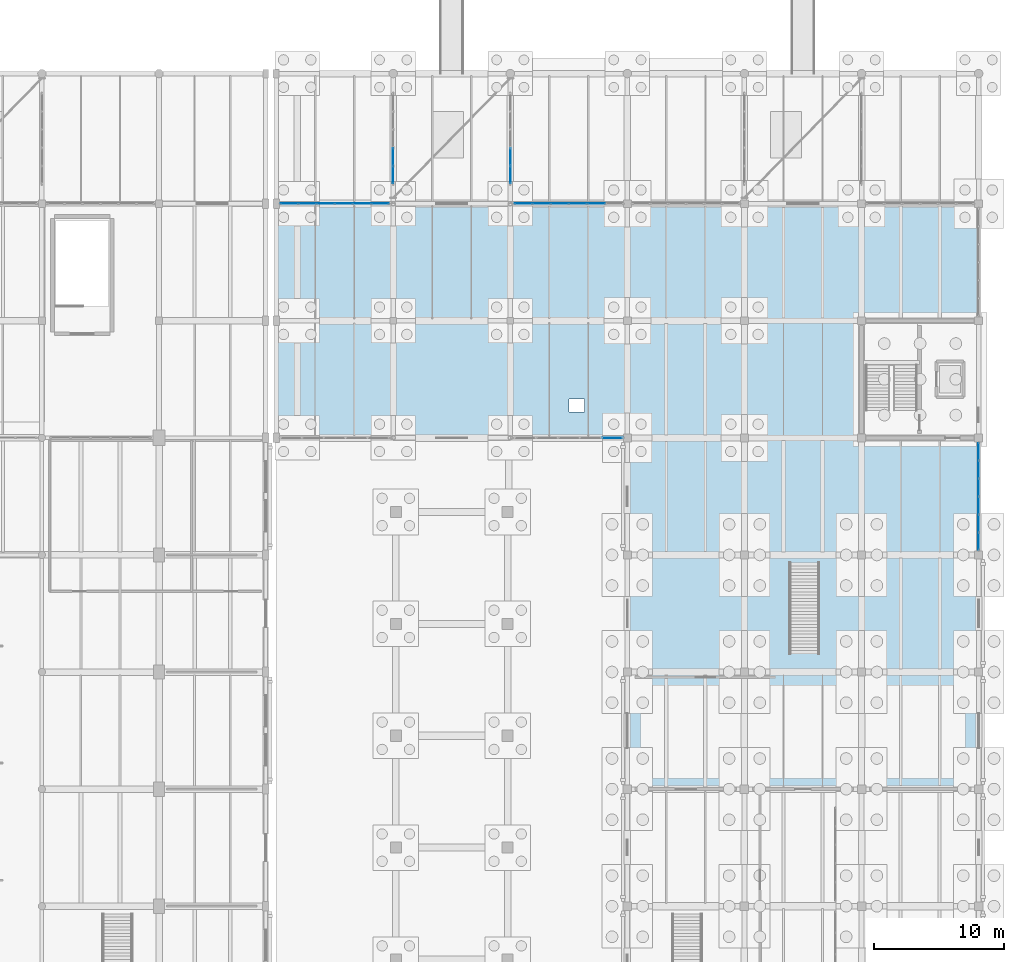
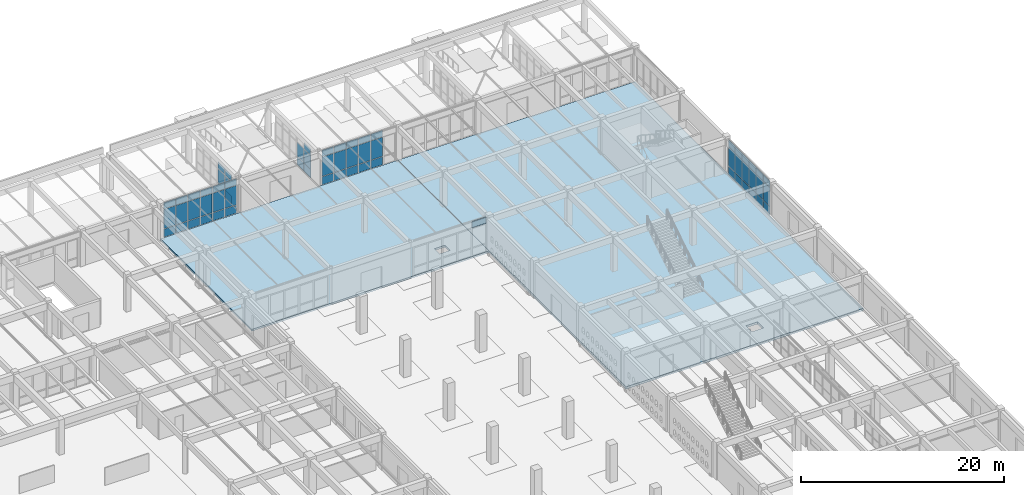
# One storey, part 153 of 186: 63 plates, 2 slabs, 6 elements without a shape of their own.
"""IFC4 building model written with IfcOpenShell, lengths in metres."""

from ifc_helpers import new_model, si_unit, direction, frame, origin, origin_2d, place, context, subcontext, project, spatial, polyline, rectangle, outline, extrude, material, layer, layer_set, type_object, element, aggregate, save


model = new_model("IFC4")

# Units and contexts
model_context = context("Model", 3, precision=1e-05, world=origin(), true_north=direction((0.0, 1.0)))
body_context = subcontext(model_context, "Body", "Model", "MODEL_VIEW")
ifc_project = project(units=[si_unit("LENGTHUNIT", "METRE"), si_unit("AREAUNIT", "SQUARE_METRE"), si_unit("VOLUMEUNIT", "CUBIC_METRE"), si_unit("PLANEANGLEUNIT", "RADIAN"), si_unit("MASSUNIT", "GRAM", prefix="KILO")], contexts=[model_context])

# Site, building, storey
site_placement = place(None, origin())
site = spatial("IfcSite", under=ifc_project, at=site_placement, CompositionType="ELEMENT")
building_placement = place(site_placement, origin())
building = spatial("IfcBuilding", under=site, at=building_placement, Name="Ornek Quay Market", CompositionType="ELEMENT")
storey_placement = place(building_placement, origin())
storey = spatial("IfcBuildingStorey", under=building, at=storey_placement, Name="L00", CompositionType="ELEMENT", Elevation=0.0)

# Curtain wall, plates
ifc_material_1 = material(Name="Anodised bronze aluminium and triple low-e glass", Category="aluminium")
ifc_layer_1 = layer(ifc_material_1, 0.18994140625, Name="Anodised bronze aluminium and triple low-e glass", Category="aluminium")
ifc_layer_set_1 = layer_set([ifc_layer_1], Name="Anodised bronze aluminium and triple low-e glass")
curtain_wall_type_1 = type_object("IfcCurtainWallType", Name="CW-FC-MOD1500", PredefinedType="USERDEFINED", material=ifc_layer_set_1)
curtain_wall_1_placement = place(storey_placement, origin())
curtain_wall_1 = element("IfcCurtainWall", 1, at=curtain_wall_1_placement, inside=storey, type_object=curtain_wall_type_1, Name="Curtain wall CW-081", ObjectType="CURTAIN WALL", PredefinedType="USERDEFINED")
ifc_material_2 = material(Name="Insulated bronze aluminium spandrel panel", Category="aluminium")
ifc_layer_2 = layer(ifc_material_2, 0.050048828125, Name="Insulated bronze aluminium spandrel panel", Category="aluminium")
ifc_layer_set_2 = layer_set([ifc_layer_2], Name="Insulated bronze aluminium spandrel panel")
plate_type_1 = type_object("IfcPlateType", Name="PL-CW-SPANDREL-50", PredefinedType="CURTAIN_PANEL", material=ifc_layer_set_2)
plate_1_placement = place(storey_placement, frame((180.0, 84.057861328125, 0.06494140625), z_axis=(0.0, 0.0, 1.0), x_axis=(0.0, 1.0, 0.0)))
plate_1 = element("IfcPlate", 2, at=plate_1_placement, type_object=plate_type_1, Name="CW-081 panel 1.1", PredefinedType="CURTAIN_PANEL", context=body_context, shape_type="SweptSolid", body=[
    extrude(rectangle(XDim=1.285888671875, YDim=0.050048828125, at=origin_2d()), origin(), (0.0, 0.0, 1.0), 0.952392578125),
])
plate_2_placement = place(storey_placement, frame((180.0, 84.057861328125, 1.08251953125), z_axis=(0.0, 0.0, 1.0), x_axis=(0.0, 1.0, 0.0)))
plate_2 = element("IfcPlate", 3, at=plate_2_placement, type_object=plate_type_1, Name="CW-081 panel 1.2", PredefinedType="CURTAIN_PANEL", context=body_context, shape_type="SweptSolid", body=[
    extrude(rectangle(XDim=1.285888671875, YDim=0.050048828125, at=origin_2d()), origin(), (0.0, 0.0, 1.0), 2.264892578125),
])
plate_3_placement = place(storey_placement, frame((180.0, 84.057861328125, 3.41259765625), z_axis=(0.0, 0.0, 1.0), x_axis=(0.0, 1.0, 0.0)))
plate_3 = element("IfcPlate", 4, at=plate_3_placement, type_object=plate_type_1, Name="CW-081 panel 1.3", PredefinedType="CURTAIN_PANEL", context=body_context, shape_type="SweptSolid", body=[
    extrude(rectangle(XDim=1.285888671875, YDim=0.050048828125, at=origin_2d()), origin(), (0.0, 0.0, 1.0), 0.75244140625),
])
plate_4_placement = place(storey_placement, frame((180.0, 85.425048828125, 0.06494140625), z_axis=(0.0, 0.0, 1.0), x_axis=(0.0, 1.0, 0.0)))
plate_4 = element("IfcPlate", 5, at=plate_4_placement, type_object=plate_type_1, Name="CW-081 panel 2.1", PredefinedType="CURTAIN_PANEL", context=body_context, shape_type="SweptSolid", body=[
    extrude(rectangle(XDim=1.318359375, YDim=0.050048828125, at=origin_2d()), origin(), (0.0, 0.0, 1.0), 0.952392578125),
])
plate_5_placement = place(storey_placement, frame((180.0, 85.425048828125, 1.08251953125), z_axis=(0.0, 0.0, 1.0), x_axis=(0.0, 1.0, 0.0)))
plate_5 = element("IfcPlate", 6, at=plate_5_placement, type_object=plate_type_1, Name="CW-081 panel 2.2", PredefinedType="CURTAIN_PANEL", context=body_context, shape_type="SweptSolid", body=[
    extrude(rectangle(XDim=1.318359375, YDim=0.050048828125, at=origin_2d()), origin(), (0.0, 0.0, 1.0), 2.264892578125),
])
plate_6_placement = place(storey_placement, frame((180.0, 85.425048828125, 3.41259765625), z_axis=(0.0, 0.0, 1.0), x_axis=(0.0, 1.0, 0.0)))
plate_6 = element("IfcPlate", 7, at=plate_6_placement, type_object=plate_type_1, Name="CW-081 panel 2.3", PredefinedType="CURTAIN_PANEL", context=body_context, shape_type="SweptSolid", body=[
    extrude(rectangle(XDim=1.318359375, YDim=0.050048828125, at=origin_2d()), origin(), (0.0, 0.0, 1.0), 0.75244140625),
])
plate_7_placement = place(storey_placement, frame((180.0, 86.808349609375, 0.06494140625), z_axis=(0.0, 0.0, 1.0), x_axis=(0.0, 1.0, 0.0)))
plate_7 = element("IfcPlate", 8, at=plate_7_placement, type_object=plate_type_1, Name="CW-081 panel 3.1", PredefinedType="CURTAIN_PANEL", context=body_context, shape_type="SweptSolid", body=[
    extrude(rectangle(XDim=1.318359375, YDim=0.050048828125, at=origin_2d()), origin(), (0.0, 0.0, 1.0), 0.952392578125),
])
plate_8_placement = place(storey_placement, frame((180.0, 86.808349609375, 1.08251953125), z_axis=(0.0, 0.0, 1.0), x_axis=(0.0, 1.0, 0.0)))
plate_8 = element("IfcPlate", 9, at=plate_8_placement, type_object=plate_type_1, Name="CW-081 panel 3.2", PredefinedType="CURTAIN_PANEL", context=body_context, shape_type="SweptSolid", body=[
    extrude(rectangle(XDim=1.318359375, YDim=0.050048828125, at=origin_2d()), origin(), (0.0, 0.0, 1.0), 2.264892578125),
])
plate_9_placement = place(storey_placement, frame((180.0, 86.808349609375, 3.41259765625), z_axis=(0.0, 0.0, 1.0), x_axis=(0.0, 1.0, 0.0)))
plate_9 = element("IfcPlate", 10, at=plate_9_placement, type_object=plate_type_1, Name="CW-081 panel 3.3", PredefinedType="CURTAIN_PANEL", context=body_context, shape_type="SweptSolid", body=[
    extrude(rectangle(XDim=1.318359375, YDim=0.050048828125, at=origin_2d()), origin(), (0.0, 0.0, 1.0), 0.75244140625),
])
plate_10_placement = place(storey_placement, frame((180.0, 88.191650390625, 0.06494140625), z_axis=(0.0, 0.0, 1.0), x_axis=(0.0, 1.0, 0.0)))
plate_10 = element("IfcPlate", 11, at=plate_10_placement, type_object=plate_type_1, Name="CW-081 panel 4.1", PredefinedType="CURTAIN_PANEL", context=body_context, shape_type="SweptSolid", body=[
    extrude(rectangle(XDim=1.318359375, YDim=0.050048828125, at=origin_2d()), origin(), (0.0, 0.0, 1.0), 0.952392578125),
])
plate_11_placement = place(storey_placement, frame((180.0, 88.191650390625, 1.08251953125), z_axis=(0.0, 0.0, 1.0), x_axis=(0.0, 1.0, 0.0)))
plate_11 = element("IfcPlate", 12, at=plate_11_placement, type_object=plate_type_1, Name="CW-081 panel 4.2", PredefinedType="CURTAIN_PANEL", context=body_context, shape_type="SweptSolid", body=[
    extrude(rectangle(XDim=1.318359375, YDim=0.050048828125, at=origin_2d()), origin(), (0.0, 0.0, 1.0), 2.264892578125),
])
plate_12_placement = place(storey_placement, frame((180.0, 88.191650390625, 3.41259765625), z_axis=(0.0, 0.0, 1.0), x_axis=(0.0, 1.0, 0.0)))
plate_12 = element("IfcPlate", 13, at=plate_12_placement, type_object=plate_type_1, Name="CW-081 panel 4.3", PredefinedType="CURTAIN_PANEL", context=body_context, shape_type="SweptSolid", body=[
    extrude(rectangle(XDim=1.318359375, YDim=0.050048828125, at=origin_2d()), origin(), (0.0, 0.0, 1.0), 0.75244140625),
])
plate_13_placement = place(storey_placement, frame((180.0, 89.574951171875, 0.06494140625), z_axis=(0.0, 0.0, 1.0), x_axis=(0.0, 1.0, 0.0)))
plate_13 = element("IfcPlate", 14, at=plate_13_placement, type_object=plate_type_1, Name="CW-081 panel 5.1", PredefinedType="CURTAIN_PANEL", context=body_context, shape_type="SweptSolid", body=[
    extrude(rectangle(XDim=1.318359375, YDim=0.050048828125, at=origin_2d()), origin(), (0.0, 0.0, 1.0), 0.952392578125),
])
plate_14_placement = place(storey_placement, frame((180.0, 89.574951171875, 1.08251953125), z_axis=(0.0, 0.0, 1.0), x_axis=(0.0, 1.0, 0.0)))
plate_14 = element("IfcPlate", 15, at=plate_14_placement, type_object=plate_type_1, Name="CW-081 panel 5.2", PredefinedType="CURTAIN_PANEL", context=body_context, shape_type="SweptSolid", body=[
    extrude(rectangle(XDim=1.318359375, YDim=0.050048828125, at=origin_2d()), origin(), (0.0, 0.0, 1.0), 2.264892578125),
])
plate_15_placement = place(storey_placement, frame((180.0, 89.574951171875, 3.41259765625), z_axis=(0.0, 0.0, 1.0), x_axis=(0.0, 1.0, 0.0)))
plate_15 = element("IfcPlate", 16, at=plate_15_placement, type_object=plate_type_1, Name="CW-081 panel 5.3", PredefinedType="CURTAIN_PANEL", context=body_context, shape_type="SweptSolid", body=[
    extrude(rectangle(XDim=1.318359375, YDim=0.050048828125, at=origin_2d()), origin(), (0.0, 0.0, 1.0), 0.75244140625),
])
plate_16_placement = place(storey_placement, frame((180.0, 90.942138671875, 0.06494140625), z_axis=(0.0, 0.0, 1.0), x_axis=(0.0, 1.0, 0.0)))
plate_16 = element("IfcPlate", 17, at=plate_16_placement, type_object=plate_type_1, Name="CW-081 panel 6.1", PredefinedType="CURTAIN_PANEL", context=body_context, shape_type="SweptSolid", body=[
    extrude(rectangle(XDim=1.285888671875, YDim=0.050048828125, at=origin_2d()), origin(), (0.0, 0.0, 1.0), 0.952392578125),
])
plate_17_placement = place(storey_placement, frame((180.0, 90.942138671875, 1.08251953125), z_axis=(0.0, 0.0, 1.0), x_axis=(0.0, 1.0, 0.0)))
plate_17 = element("IfcPlate", 18, at=plate_17_placement, type_object=plate_type_1, Name="CW-081 panel 6.2", PredefinedType="CURTAIN_PANEL", context=body_context, shape_type="SweptSolid", body=[
    extrude(rectangle(XDim=1.285888671875, YDim=0.050048828125, at=origin_2d()), origin(), (0.0, 0.0, 1.0), 2.264892578125),
])
plate_18_placement = place(storey_placement, frame((180.0, 90.942138671875, 3.41259765625), z_axis=(0.0, 0.0, 1.0), x_axis=(0.0, 1.0, 0.0)))
plate_18 = element("IfcPlate", 19, at=plate_18_placement, type_object=plate_type_1, Name="CW-081 panel 6.3", PredefinedType="CURTAIN_PANEL", context=body_context, shape_type="SweptSolid", body=[
    extrude(rectangle(XDim=1.285888671875, YDim=0.050048828125, at=origin_2d()), origin(), (0.0, 0.0, 1.0), 0.75244140625),
])
aggregate(curtain_wall_1, [plate_1, plate_2, plate_3, plate_4, plate_5, plate_6, plate_7, plate_8, plate_9, plate_10, plate_11, plate_12, plate_13, plate_14, plate_15, plate_16, plate_17, plate_18])

ifc_layer_3 = layer(ifc_material_1, 0.179931640625, Name="Anodised bronze aluminium and triple low-e glass", Category="aluminium")
ifc_layer_set_3 = layer_set([ifc_layer_3], Name="Anodised bronze aluminium and triple low-e glass")
curtain_wall_type_2 = type_object("IfcCurtainWallType", Name="CW-CONC-MOD1500", PredefinedType="USERDEFINED", material=ifc_layer_set_3)
curtain_wall_2_placement = place(storey_placement, origin())
curtain_wall_2 = element("IfcCurtainWall", 20, at=curtain_wall_2_placement, inside=storey, type_object=curtain_wall_type_2, Name="Curtain wall CW-025", ObjectType="CURTAIN WALL", PredefinedType="USERDEFINED")
ifc_material_3 = material(Name="Triple insulated low-e glass", Category="glass")
ifc_layer_4 = layer(ifc_material_3, 0.035888671875, Name="Triple insulated low-e glass", Category="glass")
ifc_layer_set_4 = layer_set([ifc_layer_4], Name="Triple insulated low-e glass")
plate_type_2 = type_object("IfcPlateType", Name="PL-CW-TRIPLE-36", PredefinedType="CURTAIN_PANEL", material=ifc_layer_set_4)
plate_19_placement = place(storey_placement, frame((127.014892578125, 110.0, 0.06005859375), z_axis=(0.0, 0.0, 1.0), x_axis=(1.0, 0.0, 0.0)))
plate_19 = element("IfcPlate", 21, at=plate_19_placement, type_object=plate_type_2, Name="CW-025 panel 1.1", PredefinedType="CURTAIN_PANEL", context=body_context, shape_type="SweptSolid", body=[
    extrude(rectangle(XDim=1.31005859375, YDim=0.035888671875, at=origin_2d()), origin(), (0.0, 0.0, 1.0), 0.9599609375),
])
plate_20_placement = place(storey_placement, frame((127.014892578125, 110.0, 1.080078125), z_axis=(0.0, 0.0, 1.0), x_axis=(1.0, 0.0, 0.0)))
plate_20 = element("IfcPlate", 22, at=plate_20_placement, type_object=plate_type_2, Name="CW-025 panel 1.2", PredefinedType="CURTAIN_PANEL", context=body_context, shape_type="SweptSolid", body=[
    extrude(rectangle(XDim=1.31005859375, YDim=0.035888671875, at=origin_2d()), origin(), (0.0, 0.0, 1.0), 2.31005859375),
])
plate_21_placement = place(storey_placement, frame((127.014892578125, 110.0, 3.4501953125), z_axis=(0.0, 0.0, 1.0), x_axis=(1.0, 0.0, 0.0)))
plate_21 = element("IfcPlate", 23, at=plate_21_placement, type_object=plate_type_2, Name="CW-025 panel 1.3", PredefinedType="CURTAIN_PANEL", context=body_context, shape_type="SweptSolid", body=[
    extrude(rectangle(XDim=1.31005859375, YDim=0.035888671875, at=origin_2d()), origin(), (0.0, 0.0, 1.0), 0.760009765625),
])
plate_22_placement = place(storey_placement, frame((128.39990234375, 110.0, 0.06005859375), z_axis=(0.0, 0.0, 1.0), x_axis=(1.0, 0.0, 0.0)))
plate_22 = element("IfcPlate", 24, at=plate_22_placement, type_object=plate_type_2, Name="CW-025 panel 2.1", PredefinedType="CURTAIN_PANEL", context=body_context, shape_type="SweptSolid", body=[
    extrude(rectangle(XDim=1.340087890625, YDim=0.035888671875, at=origin_2d()), origin(), (0.0, 0.0, 1.0), 0.9599609375),
])
plate_23_placement = place(storey_placement, frame((128.39990234375, 110.0, 1.080078125), z_axis=(0.0, 0.0, 1.0), x_axis=(1.0, 0.0, 0.0)))
plate_23 = element("IfcPlate", 25, at=plate_23_placement, type_object=plate_type_2, Name="CW-025 panel 2.2", PredefinedType="CURTAIN_PANEL", context=body_context, shape_type="SweptSolid", body=[
    extrude(rectangle(XDim=1.340087890625, YDim=0.035888671875, at=origin_2d()), origin(), (0.0, 0.0, 1.0), 2.31005859375),
])
plate_24_placement = place(storey_placement, frame((128.39990234375, 110.0, 3.4501953125), z_axis=(0.0, 0.0, 1.0), x_axis=(1.0, 0.0, 0.0)))
plate_24 = element("IfcPlate", 26, at=plate_24_placement, type_object=plate_type_2, Name="CW-025 panel 2.3", PredefinedType="CURTAIN_PANEL", context=body_context, shape_type="SweptSolid", body=[
    extrude(rectangle(XDim=1.340087890625, YDim=0.035888671875, at=origin_2d()), origin(), (0.0, 0.0, 1.0), 0.760009765625),
])
plate_25_placement = place(storey_placement, frame((129.800048828125, 110.0, 0.06005859375), z_axis=(0.0, 0.0, 1.0), x_axis=(1.0, 0.0, 0.0)))
plate_25 = element("IfcPlate", 27, at=plate_25_placement, type_object=plate_type_2, Name="CW-025 panel 3.1", PredefinedType="CURTAIN_PANEL", context=body_context, shape_type="SweptSolid", body=[
    extrude(rectangle(XDim=1.340087890625, YDim=0.035888671875, at=origin_2d()), origin(), (0.0, 0.0, 1.0), 0.9599609375),
])
plate_26_placement = place(storey_placement, frame((129.800048828125, 110.0, 1.080078125), z_axis=(0.0, 0.0, 1.0), x_axis=(1.0, 0.0, 0.0)))
plate_26 = element("IfcPlate", 28, at=plate_26_placement, type_object=plate_type_2, Name="CW-025 panel 3.2", PredefinedType="CURTAIN_PANEL", context=body_context, shape_type="SweptSolid", body=[
    extrude(rectangle(XDim=1.340087890625, YDim=0.035888671875, at=origin_2d()), origin(), (0.0, 0.0, 1.0), 2.31005859375),
])
plate_27_placement = place(storey_placement, frame((129.800048828125, 110.0, 3.4501953125), z_axis=(0.0, 0.0, 1.0), x_axis=(1.0, 0.0, 0.0)))
plate_27 = element("IfcPlate", 29, at=plate_27_placement, type_object=plate_type_2, Name="CW-025 panel 3.3", PredefinedType="CURTAIN_PANEL", context=body_context, shape_type="SweptSolid", body=[
    extrude(rectangle(XDim=1.340087890625, YDim=0.035888671875, at=origin_2d()), origin(), (0.0, 0.0, 1.0), 0.760009765625),
])
plate_28_placement = place(storey_placement, frame((131.199951171875, 110.0, 0.06005859375), z_axis=(0.0, 0.0, 1.0), x_axis=(1.0, 0.0, 0.0)))
plate_28 = element("IfcPlate", 30, at=plate_28_placement, type_object=plate_type_2, Name="CW-025 panel 4.1", PredefinedType="CURTAIN_PANEL", context=body_context, shape_type="SweptSolid", body=[
    extrude(rectangle(XDim=1.340087890625, YDim=0.035888671875, at=origin_2d()), origin(), (0.0, 0.0, 1.0), 0.9599609375),
])
plate_29_placement = place(storey_placement, frame((131.199951171875, 110.0, 1.080078125), z_axis=(0.0, 0.0, 1.0), x_axis=(1.0, 0.0, 0.0)))
plate_29 = element("IfcPlate", 31, at=plate_29_placement, type_object=plate_type_2, Name="CW-025 panel 4.2", PredefinedType="CURTAIN_PANEL", context=body_context, shape_type="SweptSolid", body=[
    extrude(rectangle(XDim=1.340087890625, YDim=0.035888671875, at=origin_2d()), origin(), (0.0, 0.0, 1.0), 2.31005859375),
])
plate_30_placement = place(storey_placement, frame((131.199951171875, 110.0, 3.4501953125), z_axis=(0.0, 0.0, 1.0), x_axis=(1.0, 0.0, 0.0)))
plate_30 = element("IfcPlate", 32, at=plate_30_placement, type_object=plate_type_2, Name="CW-025 panel 4.3", PredefinedType="CURTAIN_PANEL", context=body_context, shape_type="SweptSolid", body=[
    extrude(rectangle(XDim=1.340087890625, YDim=0.035888671875, at=origin_2d()), origin(), (0.0, 0.0, 1.0), 0.760009765625),
])
plate_31_placement = place(storey_placement, frame((132.60009765625, 110.0, 0.06005859375), z_axis=(0.0, 0.0, 1.0), x_axis=(1.0, 0.0, 0.0)))
plate_31 = element("IfcPlate", 33, at=plate_31_placement, type_object=plate_type_2, Name="CW-025 panel 5.1", PredefinedType="CURTAIN_PANEL", context=body_context, shape_type="SweptSolid", body=[
    extrude(rectangle(XDim=1.340087890625, YDim=0.035888671875, at=origin_2d()), origin(), (0.0, 0.0, 1.0), 0.9599609375),
])
plate_32_placement = place(storey_placement, frame((132.60009765625, 110.0, 1.080078125), z_axis=(0.0, 0.0, 1.0), x_axis=(1.0, 0.0, 0.0)))
plate_32 = element("IfcPlate", 34, at=plate_32_placement, type_object=plate_type_2, Name="CW-025 panel 5.2", PredefinedType="CURTAIN_PANEL", context=body_context, shape_type="SweptSolid", body=[
    extrude(rectangle(XDim=1.340087890625, YDim=0.035888671875, at=origin_2d()), origin(), (0.0, 0.0, 1.0), 2.31005859375),
])
plate_33_placement = place(storey_placement, frame((132.60009765625, 110.0, 3.4501953125), z_axis=(0.0, 0.0, 1.0), x_axis=(1.0, 0.0, 0.0)))
plate_33 = element("IfcPlate", 35, at=plate_33_placement, type_object=plate_type_2, Name="CW-025 panel 5.3", PredefinedType="CURTAIN_PANEL", context=body_context, shape_type="SweptSolid", body=[
    extrude(rectangle(XDim=1.340087890625, YDim=0.035888671875, at=origin_2d()), origin(), (0.0, 0.0, 1.0), 0.760009765625),
])
plate_34_placement = place(storey_placement, frame((133.985107421875, 110.0, 0.06005859375), z_axis=(0.0, 0.0, 1.0), x_axis=(1.0, 0.0, 0.0)))
plate_34 = element("IfcPlate", 36, at=plate_34_placement, type_object=plate_type_2, Name="CW-025 panel 6.1", PredefinedType="CURTAIN_PANEL", context=body_context, shape_type="SweptSolid", body=[
    extrude(rectangle(XDim=1.31005859375, YDim=0.035888671875, at=origin_2d()), origin(), (0.0, 0.0, 1.0), 0.9599609375),
])
plate_35_placement = place(storey_placement, frame((133.985107421875, 110.0, 1.080078125), z_axis=(0.0, 0.0, 1.0), x_axis=(1.0, 0.0, 0.0)))
plate_35 = element("IfcPlate", 37, at=plate_35_placement, type_object=plate_type_2, Name="CW-025 panel 6.2", PredefinedType="CURTAIN_PANEL", context=body_context, shape_type="SweptSolid", body=[
    extrude(rectangle(XDim=1.31005859375, YDim=0.035888671875, at=origin_2d()), origin(), (0.0, 0.0, 1.0), 2.31005859375),
])
plate_36_placement = place(storey_placement, frame((133.985107421875, 110.0, 3.4501953125), z_axis=(0.0, 0.0, 1.0), x_axis=(1.0, 0.0, 0.0)))
plate_36 = element("IfcPlate", 38, at=plate_36_placement, type_object=plate_type_2, Name="CW-025 panel 6.3", PredefinedType="CURTAIN_PANEL", context=body_context, shape_type="SweptSolid", body=[
    extrude(rectangle(XDim=1.31005859375, YDim=0.035888671875, at=origin_2d()), origin(), (0.0, 0.0, 1.0), 0.760009765625),
])
aggregate(curtain_wall_2, [plate_19, plate_20, plate_21, plate_22, plate_23, plate_24, plate_25, plate_26, plate_27, plate_28, plate_29, plate_30, plate_31, plate_32, plate_33, plate_34, plate_35, plate_36])

curtain_wall_3_placement = place(storey_placement, origin())
curtain_wall_3 = element("IfcCurtainWall", 39, at=curtain_wall_3_placement, inside=storey, type_object=curtain_wall_type_2, Name="Curtain wall CW-029", ObjectType="CURTAIN WALL", PredefinedType="USERDEFINED")
plate_37_placement = place(storey_placement, frame((145.014892578125, 110.0, 0.06005859375), z_axis=(0.0, 0.0, 1.0), x_axis=(1.0, 0.0, 0.0)))
plate_37 = element("IfcPlate", 40, at=plate_37_placement, type_object=plate_type_2, Name="CW-029 panel 1.1", PredefinedType="CURTAIN_PANEL", context=body_context, shape_type="SweptSolid", body=[
    extrude(rectangle(XDim=1.31005859375, YDim=0.035888671875, at=origin_2d()), origin(), (0.0, 0.0, 1.0), 0.9599609375),
])
plate_38_placement = place(storey_placement, frame((145.014892578125, 110.0, 1.080078125), z_axis=(0.0, 0.0, 1.0), x_axis=(1.0, 0.0, 0.0)))
plate_38 = element("IfcPlate", 41, at=plate_38_placement, type_object=plate_type_2, Name="CW-029 panel 1.2", PredefinedType="CURTAIN_PANEL", context=body_context, shape_type="SweptSolid", body=[
    extrude(rectangle(XDim=1.31005859375, YDim=0.035888671875, at=origin_2d()), origin(), (0.0, 0.0, 1.0), 2.31005859375),
])
plate_39_placement = place(storey_placement, frame((145.014892578125, 110.0, 3.4501953125), z_axis=(0.0, 0.0, 1.0), x_axis=(1.0, 0.0, 0.0)))
plate_39 = element("IfcPlate", 42, at=plate_39_placement, type_object=plate_type_2, Name="CW-029 panel 1.3", PredefinedType="CURTAIN_PANEL", context=body_context, shape_type="SweptSolid", body=[
    extrude(rectangle(XDim=1.31005859375, YDim=0.035888671875, at=origin_2d()), origin(), (0.0, 0.0, 1.0), 0.760009765625),
])
plate_40_placement = place(storey_placement, frame((146.39990234375, 110.0, 0.06005859375), z_axis=(0.0, 0.0, 1.0), x_axis=(1.0, 0.0, 0.0)))
plate_40 = element("IfcPlate", 43, at=plate_40_placement, type_object=plate_type_2, Name="CW-029 panel 2.1", PredefinedType="CURTAIN_PANEL", context=body_context, shape_type="SweptSolid", body=[
    extrude(rectangle(XDim=1.340087890625, YDim=0.035888671875, at=origin_2d()), origin(), (0.0, 0.0, 1.0), 0.9599609375),
])
plate_41_placement = place(storey_placement, frame((146.39990234375, 110.0, 1.080078125), z_axis=(0.0, 0.0, 1.0), x_axis=(1.0, 0.0, 0.0)))
plate_41 = element("IfcPlate", 44, at=plate_41_placement, type_object=plate_type_2, Name="CW-029 panel 2.2", PredefinedType="CURTAIN_PANEL", context=body_context, shape_type="SweptSolid", body=[
    extrude(rectangle(XDim=1.340087890625, YDim=0.035888671875, at=origin_2d()), origin(), (0.0, 0.0, 1.0), 2.31005859375),
])
plate_42_placement = place(storey_placement, frame((146.39990234375, 110.0, 3.4501953125), z_axis=(0.0, 0.0, 1.0), x_axis=(1.0, 0.0, 0.0)))
plate_42 = element("IfcPlate", 45, at=plate_42_placement, type_object=plate_type_2, Name="CW-029 panel 2.3", PredefinedType="CURTAIN_PANEL", context=body_context, shape_type="SweptSolid", body=[
    extrude(rectangle(XDim=1.340087890625, YDim=0.035888671875, at=origin_2d()), origin(), (0.0, 0.0, 1.0), 0.760009765625),
])
plate_43_placement = place(storey_placement, frame((147.800048828125, 110.0, 0.06005859375), z_axis=(0.0, 0.0, 1.0), x_axis=(1.0, 0.0, 0.0)))
plate_43 = element("IfcPlate", 46, at=plate_43_placement, type_object=plate_type_2, Name="CW-029 panel 3.1", PredefinedType="CURTAIN_PANEL", context=body_context, shape_type="SweptSolid", body=[
    extrude(rectangle(XDim=1.340087890625, YDim=0.035888671875, at=origin_2d()), origin(), (0.0, 0.0, 1.0), 0.9599609375),
])
plate_44_placement = place(storey_placement, frame((147.800048828125, 110.0, 1.080078125), z_axis=(0.0, 0.0, 1.0), x_axis=(1.0, 0.0, 0.0)))
plate_44 = element("IfcPlate", 47, at=plate_44_placement, type_object=plate_type_2, Name="CW-029 panel 3.2", PredefinedType="CURTAIN_PANEL", context=body_context, shape_type="SweptSolid", body=[
    extrude(rectangle(XDim=1.340087890625, YDim=0.035888671875, at=origin_2d()), origin(), (0.0, 0.0, 1.0), 2.31005859375),
])
plate_45_placement = place(storey_placement, frame((147.800048828125, 110.0, 3.4501953125), z_axis=(0.0, 0.0, 1.0), x_axis=(1.0, 0.0, 0.0)))
plate_45 = element("IfcPlate", 48, at=plate_45_placement, type_object=plate_type_2, Name="CW-029 panel 3.3", PredefinedType="CURTAIN_PANEL", context=body_context, shape_type="SweptSolid", body=[
    extrude(rectangle(XDim=1.340087890625, YDim=0.035888671875, at=origin_2d()), origin(), (0.0, 0.0, 1.0), 0.760009765625),
])
plate_46_placement = place(storey_placement, frame((149.199951171875, 110.0, 0.06005859375), z_axis=(0.0, 0.0, 1.0), x_axis=(1.0, 0.0, 0.0)))
plate_46 = element("IfcPlate", 49, at=plate_46_placement, type_object=plate_type_2, Name="CW-029 panel 4.1", PredefinedType="CURTAIN_PANEL", context=body_context, shape_type="SweptSolid", body=[
    extrude(rectangle(XDim=1.340087890625, YDim=0.035888671875, at=origin_2d()), origin(), (0.0, 0.0, 1.0), 0.9599609375),
])
plate_47_placement = place(storey_placement, frame((149.199951171875, 110.0, 1.080078125), z_axis=(0.0, 0.0, 1.0), x_axis=(1.0, 0.0, 0.0)))
plate_47 = element("IfcPlate", 50, at=plate_47_placement, type_object=plate_type_2, Name="CW-029 panel 4.2", PredefinedType="CURTAIN_PANEL", context=body_context, shape_type="SweptSolid", body=[
    extrude(rectangle(XDim=1.340087890625, YDim=0.035888671875, at=origin_2d()), origin(), (0.0, 0.0, 1.0), 2.31005859375),
])
plate_48_placement = place(storey_placement, frame((149.199951171875, 110.0, 3.4501953125), z_axis=(0.0, 0.0, 1.0), x_axis=(1.0, 0.0, 0.0)))
plate_48 = element("IfcPlate", 51, at=plate_48_placement, type_object=plate_type_2, Name="CW-029 panel 4.3", PredefinedType="CURTAIN_PANEL", context=body_context, shape_type="SweptSolid", body=[
    extrude(rectangle(XDim=1.340087890625, YDim=0.035888671875, at=origin_2d()), origin(), (0.0, 0.0, 1.0), 0.760009765625),
])
plate_49_placement = place(storey_placement, frame((150.60009765625, 110.0, 0.06005859375), z_axis=(0.0, 0.0, 1.0), x_axis=(1.0, 0.0, 0.0)))
plate_49 = element("IfcPlate", 52, at=plate_49_placement, type_object=plate_type_2, Name="CW-029 panel 5.1", PredefinedType="CURTAIN_PANEL", context=body_context, shape_type="SweptSolid", body=[
    extrude(rectangle(XDim=1.340087890625, YDim=0.035888671875, at=origin_2d()), origin(), (0.0, 0.0, 1.0), 0.9599609375),
])
plate_50_placement = place(storey_placement, frame((150.60009765625, 110.0, 1.080078125), z_axis=(0.0, 0.0, 1.0), x_axis=(1.0, 0.0, 0.0)))
plate_50 = element("IfcPlate", 53, at=plate_50_placement, type_object=plate_type_2, Name="CW-029 panel 5.2", PredefinedType="CURTAIN_PANEL", context=body_context, shape_type="SweptSolid", body=[
    extrude(rectangle(XDim=1.340087890625, YDim=0.035888671875, at=origin_2d()), origin(), (0.0, 0.0, 1.0), 2.31005859375),
])
plate_51_placement = place(storey_placement, frame((150.60009765625, 110.0, 3.4501953125), z_axis=(0.0, 0.0, 1.0), x_axis=(1.0, 0.0, 0.0)))
plate_51 = element("IfcPlate", 54, at=plate_51_placement, type_object=plate_type_2, Name="CW-029 panel 5.3", PredefinedType="CURTAIN_PANEL", context=body_context, shape_type="SweptSolid", body=[
    extrude(rectangle(XDim=1.340087890625, YDim=0.035888671875, at=origin_2d()), origin(), (0.0, 0.0, 1.0), 0.760009765625),
])
aggregate(curtain_wall_3, [plate_37, plate_38, plate_39, plate_40, plate_41, plate_42, plate_43, plate_44, plate_45, plate_46, plate_47, plate_48, plate_49, plate_50, plate_51])

ifc_layer_5 = layer(ifc_material_1, 0.219970703125, Name="Anodised bronze aluminium and triple low-e glass", Category="aluminium")
ifc_layer_set_5 = layer_set([ifc_layer_5], Name="Anodised bronze aluminium and triple low-e glass")
curtain_wall_type_3 = type_object("IfcCurtainWallType", Name="CW-PORCH-MOD1500", PredefinedType="USERDEFINED", material=ifc_layer_set_5)
curtain_wall_4_placement = place(storey_placement, origin())
curtain_wall_4 = element("IfcCurtainWall", 55, at=curtain_wall_4_placement, inside=storey, type_object=curtain_wall_type_3, Name="Curtain wall CW-155", ObjectType="CURTAIN WALL", PredefinedType="USERDEFINED")
plate_52_placement = place(storey_placement, frame((135.0, 112.217529296875, 0.06982421875), z_axis=(0.0, 0.0, 1.0), x_axis=(0.0, 1.0, 0.0)))
plate_52 = element("IfcPlate", 56, at=plate_52_placement, type_object=plate_type_2, Name="CW-155 panel 1.1", PredefinedType="CURTAIN_PANEL", context=body_context, shape_type="SweptSolid", body=[
    extrude(rectangle(XDim=1.294921875, YDim=0.035888671875, at=origin_2d()), origin(), (0.0, 0.0, 1.0), 0.945068359375),
])
plate_53_placement = place(storey_placement, frame((135.0, 112.217529296875, 1.0849609375), z_axis=(0.0, 0.0, 1.0), x_axis=(0.0, 1.0, 0.0)))
plate_53 = element("IfcPlate", 57, at=plate_53_placement, type_object=plate_type_2, Name="CW-155 panel 1.2", PredefinedType="CURTAIN_PANEL", context=body_context, shape_type="SweptSolid", body=[
    extrude(rectangle(XDim=1.294921875, YDim=0.035888671875, at=origin_2d()), origin(), (0.0, 0.0, 1.0), 1.6298828125),
])
plate_54_placement = place(storey_placement, frame((135.0, 112.217529296875, 2.784912109375), z_axis=(0.0, 0.0, 1.0), x_axis=(0.0, 1.0, 0.0)))
plate_54 = element("IfcPlate", 58, at=plate_54_placement, type_object=plate_type_2, Name="CW-155 panel 1.3", PredefinedType="CURTAIN_PANEL", context=body_context, shape_type="SweptSolid", body=[
    extrude(rectangle(XDim=1.294921875, YDim=0.035888671875, at=origin_2d()), origin(), (0.0, 0.0, 1.0), 0.7451171875),
])
plate_55_placement = place(storey_placement, frame((135.0, 113.60009765625, 0.06982421875), z_axis=(0.0, 0.0, 1.0), x_axis=(0.0, 1.0, 0.0)))
plate_55 = element("IfcPlate", 59, at=plate_55_placement, type_object=plate_type_2, Name="CW-155 panel 2.1", PredefinedType="CURTAIN_PANEL", context=body_context, shape_type="SweptSolid", body=[
    extrude(rectangle(XDim=1.330078125, YDim=0.035888671875, at=origin_2d()), origin(), (0.0, 0.0, 1.0), 0.945068359375),
])
plate_56_placement = place(storey_placement, frame((135.0, 113.60009765625, 1.0849609375), z_axis=(0.0, 0.0, 1.0), x_axis=(0.0, 1.0, 0.0)))
plate_56 = element("IfcPlate", 60, at=plate_56_placement, type_object=plate_type_2, Name="CW-155 panel 2.2", PredefinedType="CURTAIN_PANEL", context=body_context, shape_type="SweptSolid", body=[
    extrude(rectangle(XDim=1.330078125, YDim=0.035888671875, at=origin_2d()), origin(), (0.0, 0.0, 1.0), 1.6298828125),
])
plate_57_placement = place(storey_placement, frame((135.0, 113.60009765625, 2.784912109375), z_axis=(0.0, 0.0, 1.0), x_axis=(0.0, 1.0, 0.0)))
plate_57 = element("IfcPlate", 61, at=plate_57_placement, type_object=plate_type_2, Name="CW-155 panel 2.3", PredefinedType="CURTAIN_PANEL", context=body_context, shape_type="SweptSolid", body=[
    extrude(rectangle(XDim=1.330078125, YDim=0.035888671875, at=origin_2d()), origin(), (0.0, 0.0, 1.0), 0.7451171875),
])
aggregate(curtain_wall_4, [plate_52, plate_53, plate_54, plate_55, plate_56, plate_57])

curtain_wall_5_placement = place(storey_placement, origin())
curtain_wall_5 = element("IfcCurtainWall", 62, at=curtain_wall_5_placement, inside=storey, type_object=curtain_wall_type_3, Name="Curtain wall CW-156", ObjectType="CURTAIN WALL", PredefinedType="USERDEFINED")
plate_58_placement = place(storey_placement, frame((144.0, 112.217529296875, 0.06982421875), z_axis=(0.0, 0.0, 1.0), x_axis=(0.0, 1.0, 0.0)))
plate_58 = element("IfcPlate", 63, at=plate_58_placement, type_object=plate_type_2, Name="CW-156 panel 1.1", PredefinedType="CURTAIN_PANEL", context=body_context, shape_type="SweptSolid", body=[
    extrude(rectangle(XDim=1.294921875, YDim=0.035888671875, at=origin_2d()), origin(), (0.0, 0.0, 1.0), 0.945068359375),
])
plate_59_placement = place(storey_placement, frame((144.0, 112.217529296875, 1.0849609375), z_axis=(0.0, 0.0, 1.0), x_axis=(0.0, 1.0, 0.0)))
plate_59 = element("IfcPlate", 64, at=plate_59_placement, type_object=plate_type_2, Name="CW-156 panel 1.2", PredefinedType="CURTAIN_PANEL", context=body_context, shape_type="SweptSolid", body=[
    extrude(rectangle(XDim=1.294921875, YDim=0.035888671875, at=origin_2d()), origin(), (0.0, 0.0, 1.0), 1.6298828125),
])
plate_60_placement = place(storey_placement, frame((144.0, 112.217529296875, 2.784912109375), z_axis=(0.0, 0.0, 1.0), x_axis=(0.0, 1.0, 0.0)))
plate_60 = element("IfcPlate", 65, at=plate_60_placement, type_object=plate_type_2, Name="CW-156 panel 1.3", PredefinedType="CURTAIN_PANEL", context=body_context, shape_type="SweptSolid", body=[
    extrude(rectangle(XDim=1.294921875, YDim=0.035888671875, at=origin_2d()), origin(), (0.0, 0.0, 1.0), 0.7451171875),
])
plate_61_placement = place(storey_placement, frame((144.0, 113.60009765625, 0.06982421875), z_axis=(0.0, 0.0, 1.0), x_axis=(0.0, 1.0, 0.0)))
plate_61 = element("IfcPlate", 66, at=plate_61_placement, type_object=plate_type_2, Name="CW-156 panel 2.1", PredefinedType="CURTAIN_PANEL", context=body_context, shape_type="SweptSolid", body=[
    extrude(rectangle(XDim=1.330078125, YDim=0.035888671875, at=origin_2d()), origin(), (0.0, 0.0, 1.0), 0.945068359375),
])
plate_62_placement = place(storey_placement, frame((144.0, 113.60009765625, 1.0849609375), z_axis=(0.0, 0.0, 1.0), x_axis=(0.0, 1.0, 0.0)))
plate_62 = element("IfcPlate", 67, at=plate_62_placement, type_object=plate_type_2, Name="CW-156 panel 2.2", PredefinedType="CURTAIN_PANEL", context=body_context, shape_type="SweptSolid", body=[
    extrude(rectangle(XDim=1.330078125, YDim=0.035888671875, at=origin_2d()), origin(), (0.0, 0.0, 1.0), 1.6298828125),
])
aggregate(curtain_wall_5, [plate_58, plate_59, plate_60, plate_61, plate_62])

# Curtain wall, plate
ifc_layer_6 = layer(ifc_material_1, 0.199951171875, Name="Anodised bronze aluminium and triple low-e glass", Category="aluminium")
ifc_layer_set_6 = layer_set([ifc_layer_6], Name="Anodised bronze aluminium and triple low-e glass")
curtain_wall_type_4 = type_object("IfcCurtainWallType", Name="CW-CONC-MOD1800", PredefinedType="USERDEFINED", material=ifc_layer_set_6)
curtain_wall_6_placement = place(storey_placement, origin())
curtain_wall_6 = element("IfcCurtainWall", 68, at=curtain_wall_6_placement, inside=storey, type_object=curtain_wall_type_4, Name="Curtain wall CW-030", ObjectType="CURTAIN WALL", PredefinedType="USERDEFINED")
ifc_layer_7 = layer(ifc_material_3, 0.0419921875, Name="Triple insulated low-e glass", Category="glass")
ifc_layer_set_7 = layer_set([ifc_layer_7], Name="Triple insulated low-e glass")
plate_type_3 = type_object("IfcPlateType", Name="PL-CW-TRIPLE-42", PredefinedType="CURTAIN_PANEL", material=ifc_layer_set_7)
plate_63_placement = place(storey_placement, frame((151.84375, 92.0, 3.45263671875), z_axis=(0.0, 0.0, 1.0), x_axis=(1.0, 0.0, 0.0)))
plate_63 = element("IfcPlate", 69, at=plate_63_placement, type_object=plate_type_3, Name="CW-030 panel 5.3", PredefinedType="CURTAIN_PANEL", context=body_context, shape_type="SweptSolid", body=[
    extrude(rectangle(XDim=1.58251953125, YDim=0.0419921875, at=origin_2d()), origin(), (0.0, 0.0, 1.0), 0.75244140625),
])
aggregate(curtain_wall_6, [plate_63])

# Slabs
ifc_material_4 = material(Name="Concrete C35/45", Category="concrete")
ifc_layer_8 = layer(ifc_material_4, 0.22998046875, Name="Concrete C35/45", Category="concrete")
ifc_layer_set_8 = layer_set([ifc_layer_8], Name="Concrete C35/45")
slab_type_1 = type_object("IfcSlabType", Name="SL-FLR-CONC-230", PredefinedType="FLOOR", material=ifc_layer_set_8)
slab_1_placement = place(storey_placement, frame((0.0, 0.0, -0.22998046875)))
element("IfcSlab", 70, at=slab_1_placement, inside=storey, type_object=slab_type_1, Name="Slab S-017 (L00)", PredefinedType="FLOOR", context=body_context, shape_type="SweptSolid", body=[
    extrude(outline(polyline([(126.0, 92.0), (153.0, 92.0), (153.0, 110.0), (126.0, 110.0), (126.0, 92.0)]), holes=[polyline([(148.5, 95.0), (149.699951171875, 95.0), (149.699951171875, 94.0), (148.5, 94.0), (148.5, 95.0)])]), origin(), (0.0, 0.0, 1.0), 0.22998046875),
])
ifc_layer_9 = layer(ifc_material_4, 0.27001953125, Name="Concrete C35/45", Category="concrete")
ifc_layer_set_9 = layer_set([ifc_layer_9], Name="Concrete C35/45")
slab_type_2 = type_object("IfcSlabType", Name="SL-FLR-FC-270", PredefinedType="FLOOR", material=ifc_layer_set_9)
slab_2_placement = place(storey_placement, frame((0.0, 0.0, -0.27001953125)))
element("IfcSlab", 71, at=slab_2_placement, inside=storey, type_object=slab_type_2, Name="Slab S-019 (L00)", PredefinedType="FLOOR", context=body_context, shape_type="SweptSolid", body=[
    extrude(outline(polyline([(153.0, 65.0), (180.0, 65.0), (180.0, 110.0), (153.0, 110.0), (153.0, 65.0)]), holes=[polyline([(168.5, 68.199951171875), (169.800048828125, 68.199951171875), (169.800048828125, 67.0), (168.5, 67.0), (168.5, 68.199951171875)])]), origin(), (0.0, 0.0, 1.0), 0.27001953125),
])

save(model, "model.ifc")
